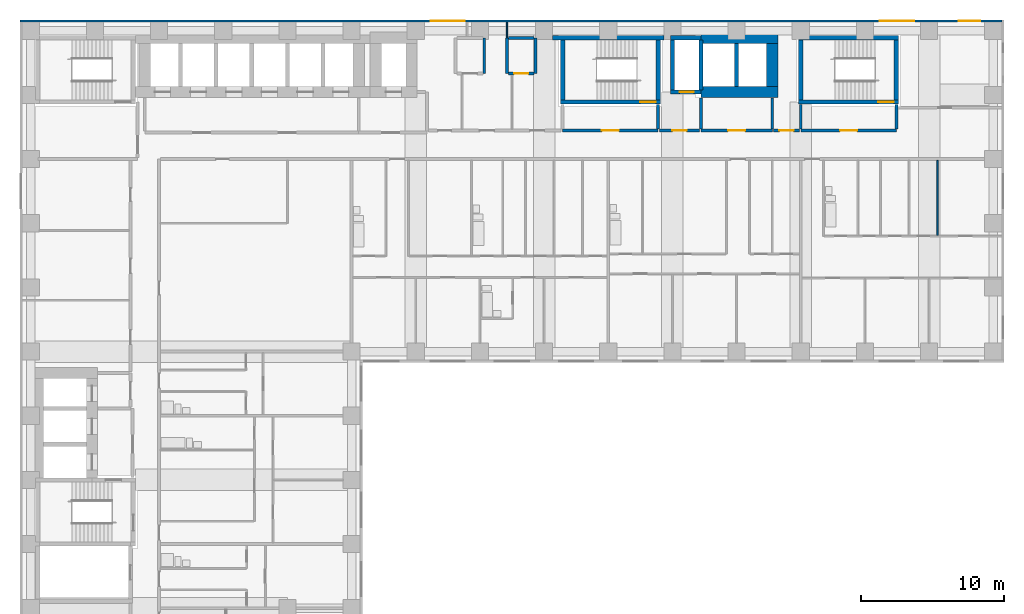
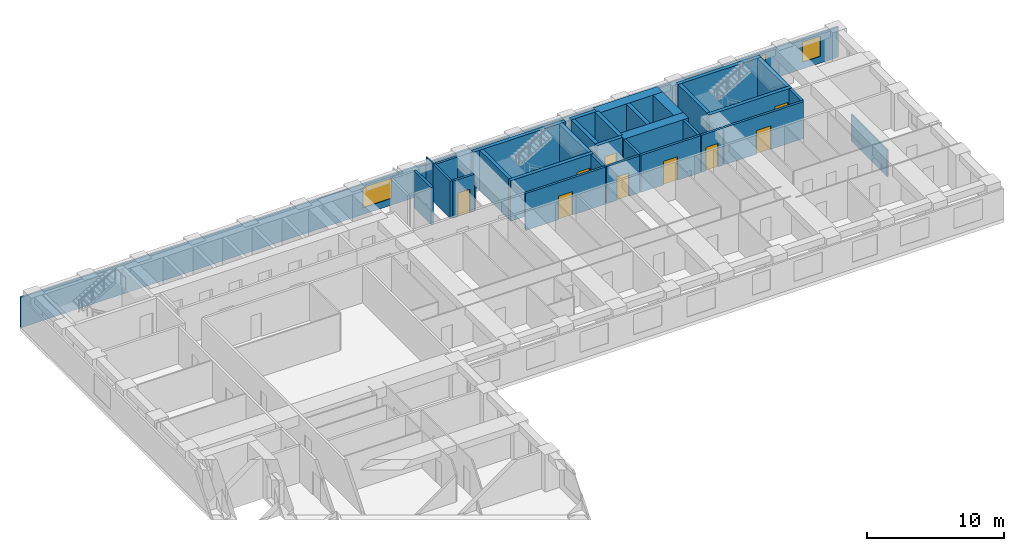
# One storey, part 8 of 12: 34 walls, 9 doors, 3 windows, 12 openings.
"""IFC4 building model written with IfcOpenShell, lengths in metres."""

import ifcopenshell
import ifcopenshell.guid

model = None  # the IFC model being written
_history = None  # IfcOwnerHistory: only IFC2X3 demands one
_inside = {}  # id of a spatial element -> (the spatial element, [elements in it])
_under = {}  # id of a project, library or spatial element -> (it, [spatial elements below it])
_declared = {}  # id of a project -> (the project, [libraries it declares])
_typed = {}  # id of a type object -> (the type object, [elements of that type])
_made_of = {}  # id of a material, layer set ... -> (it, [elements and type objects made of it])


def new_model(schema):
    """Start an empty IFC model of exactly this schema.

    Asked for "IFC4X3", IfcOpenShell would pick the latest addendum, in which some entities
    have other attributes; the version numbers below select the first issue.
    IFC2X3 requires an IfcOwnerHistory on every rooted entity: one is made here for all.
    """
    global model, _history
    if schema == "IFC4X3":
        model = ifcopenshell.file(schema_version=(4, 3, 0, 0))
    else:
        model = ifcopenshell.file(schema=schema)
    _inside.clear()
    _under.clear()
    _declared.clear()
    _typed.clear()
    _made_of.clear()
    _history = None
    if model.schema == "IFC2X3":
        org = make("IfcOrganization", Name="unknown")
        user = make(
            "IfcPersonAndOrganization",
            ThePerson=make("IfcPerson", FamilyName="unknown"),
            TheOrganization=org,
        )
        app = make(
            "IfcApplication",
            ApplicationDeveloper=org,
            Version="unknown",
            ApplicationFullName="unknown",
            ApplicationIdentifier="unknown",
        )
        _history = make(
            "IfcOwnerHistory",
            OwningUser=user,
            OwningApplication=app,
            ChangeAction="ADDED",
            CreationDate=0,
        )
    return model


def make(cls, **values):
    """One entity of the class cls with the attributes given. An attribute that is None is left unset."""
    return model.create_entity(
        cls, **{name: value for name, value in values.items() if value is not None}
    )


def rooted(cls, **values):
    """An entity with a GlobalId (a new one), such as an element, a storey or a relation."""
    return make(cls, GlobalId=ifcopenshell.guid.new(), OwnerHistory=_history, **values)


def si_unit(unit_type, name, prefix=None):
    """IfcSIUnit, for example si_unit("LENGTHUNIT", "METRE", prefix="MILLI")."""
    return make("IfcSIUnit", UnitType=unit_type, Prefix=prefix, Name=name)


def assignment(units):
    """IfcUnitAssignment: the units of a project."""
    return None if units is None else make("IfcUnitAssignment", Units=units)


def point(xyz):
    """IfcCartesianPoint."""
    return None if xyz is None else make("IfcCartesianPoint", Coordinates=xyz)


def direction(xyz):
    """IfcDirection."""
    return None if xyz is None else make("IfcDirection", DirectionRatios=xyz)


def frame(location, z_axis=None, x_axis=None):
    """IfcAxis2Placement3D, a coordinate frame: its origin and axes. An axis left out is left unset."""
    return make(
        "IfcAxis2Placement3D",
        Location=point(location),
        Axis=direction(z_axis),
        RefDirection=direction(x_axis),
    )


def frame_2d(location, x_axis=None):
    """IfcAxis2Placement2D, a coordinate frame in the plane: its origin and x axis."""
    return make(
        "IfcAxis2Placement2D", Location=point(location), RefDirection=direction(x_axis)
    )


def origin():
    """The frame at (0, 0, 0) with its axes left unset."""
    return frame((0.0, 0.0, 0.0))


def place(relative_to, where):
    """IfcLocalPlacement: puts the frame where relative to a parent placement (None: the world)."""
    return make(
        "IfcLocalPlacement", PlacementRelTo=relative_to, RelativePlacement=where
    )


def context(
    kind, dimensions, precision=None, world=None, true_north=None, identifier=None
):
    """IfcGeometricRepresentationContext, for example the 3D "Model" context."""
    return make(
        "IfcGeometricRepresentationContext",
        ContextIdentifier=identifier,
        ContextType=kind,
        CoordinateSpaceDimension=dimensions,
        Precision=precision,
        WorldCoordinateSystem=world,
        TrueNorth=true_north,
    )


def subcontext(parent, identifier, kind, view, scale=None):
    """IfcGeometricRepresentationSubContext, for example "Body" below "Model"."""
    return make(
        "IfcGeometricRepresentationSubContext",
        ContextIdentifier=identifier,
        ContextType=kind,
        ParentContext=parent,
        TargetScale=scale,
        TargetView=view,
    )


def project(units=None, contexts=None):
    """IfcProject with its units and contexts."""
    return rooted(
        "IfcProject",
        Name="project",
        RepresentationContexts=contexts,
        UnitsInContext=assignment(units),
    )


def spatial(cls, under=None, at=None, **own):
    """A site, building, storey or space (cls), placed at a placement, below another one or the project."""
    s = rooted(cls, ObjectPlacement=at, **own)
    if under is not None:
        _under.setdefault(under.id(), (under, []))[1].append(s)
    return s


def profile(cls, at=None, kind="AREA", **sizes):
    """A parametric profile (cls). Its sizes go by their IFC names, for example OverallWidth=200.0."""
    return make(cls, ProfileType=kind, Position=at, **sizes)


def rectangle(**sizes):
    """IfcRectangleProfileDef."""
    return profile("IfcRectangleProfileDef", **sizes)


def extrude(swept, where, along, depth):
    """IfcExtrudedAreaSolid: the profile swept, set in the frame where, extruded along a direction by depth."""
    return make(
        "IfcExtrudedAreaSolid",
        SweptArea=swept,
        Position=where,
        ExtrudedDirection=direction(along),
        Depth=depth,
    )


def shape(context_of_items, identifier, shape_type, items):
    """IfcShapeRepresentation: the items that make up one representation, for example the "Body"."""
    return make(
        "IfcShapeRepresentation",
        ContextOfItems=context_of_items,
        RepresentationIdentifier=identifier,
        RepresentationType=shape_type,
        Items=items,
    )


def material(Name=None, Category=None):
    """IfcMaterial."""
    return make("IfcMaterial", Name=Name, Category=Category)


def layer(
    of_material, thickness, ventilated=None, Name=None, Category=None, Priority=None
):
    """IfcMaterialLayer: one layer of a wall or slab, of a material (None: an air gap)."""
    return make(
        "IfcMaterialLayer",
        Material=of_material,
        LayerThickness=thickness,
        IsVentilated=ventilated,
        Name=Name,
        Category=Category,
        Priority=Priority,
    )


def layer_set(layers, Name=None):
    """IfcMaterialLayerSet."""
    return make("IfcMaterialLayerSet", MaterialLayers=layers, LayerSetName=Name)


def made_of(thing, what):
    """Note that an element or type object is made of a material, layer set ...; save() writes the relation."""
    if what is not None:
        _made_of.setdefault(what.id(), (what, []))[1].append(thing)
    return thing


def type_object(cls, material=None, **own):
    """A type object (cls), such as IfcWallType, which elements share."""
    return made_of(rooted(cls, **own), material)


def element(
    cls,
    number,
    at=None,
    inside=None,
    cuts=None,
    type_object=None,
    material=None,
    context=None,
    identifier="Body",
    shape_type=None,
    held_by="IfcProductDefinitionShape",
    body=None,
    shapes=None,
    **own,
):
    """One element of the class cls, such as IfcWall. Its Tag is "e" and its number.

    at: its placement. inside: the storey or other place that contains it. cuts: it is an
    opening in that element (IfcRelVoidsElement). A single representation is given by context,
    identifier, shape_type and body (its items); several are given by shapes. held_by: the class
    of the entity that holds the representations. save() writes the other relations.
    """
    e = rooted(cls, Tag="e%d" % number, ObjectPlacement=at, **own)
    if body is not None:
        shapes = [shape(context, identifier, shape_type, body)]
    if shapes is not None:
        e.Representation = make(held_by, Representations=shapes)
    if inside is not None:
        _inside.setdefault(inside.id(), (inside, []))[1].append(e)
    if cuts is not None:
        rooted(
            "IfcRelVoidsElement", RelatingBuildingElement=cuts, RelatedOpeningElement=e
        )
    if type_object is not None:
        _typed.setdefault(type_object.id(), (type_object, []))[1].append(e)
    return made_of(e, material)


def fill(opening, filler):
    """IfcRelFillsElement: the door or window that sits in an opening."""
    return rooted(
        "IfcRelFillsElement",
        RelatingOpeningElement=opening,
        RelatedBuildingElement=filler,
    )


def aggregate(whole, parts):
    """IfcRelAggregates: a whole, such as a stair, and the parts it consists of."""
    return rooted("IfcRelAggregates", RelatingObject=whole, RelatedObjects=parts)


def save(model, path):
    """Write the relations noted so far, then the file.

    IfcRelAggregates (storeys below a building ...), IfcRelContainedInSpatialStructure (elements
    in a storey), IfcRelDefinesByType, IfcRelAssociatesMaterial and IfcRelDeclares: one each for
    every whole, place, type object, material and project.
    """
    for whole, parts in _under.values():
        aggregate(whole, parts)
    for where, things in _inside.values():
        rooted(
            "IfcRelContainedInSpatialStructure",
            RelatedElements=things,
            RelatingStructure=where,
        )
    for kind, things in _typed.values():
        rooted("IfcRelDefinesByType", RelatedObjects=things, RelatingType=kind)
    for what, things in _made_of.values():
        rooted("IfcRelAssociatesMaterial", RelatedObjects=things, RelatingMaterial=what)
    for by, libraries in _declared.values():
        rooted("IfcRelDeclares", RelatingContext=by, RelatedDefinitions=libraries)
    model.write(path)


model = new_model("IFC4")

# Units and contexts
model_context = context("Model", 3, precision=1e-05, world=origin(), true_north=direction((0.0, 1.0)))
body_context = subcontext(model_context, "Body", "Model", "MODEL_VIEW")
ifc_project = project(units=[si_unit("LENGTHUNIT", "METRE"), si_unit("AREAUNIT", "SQUARE_METRE"), si_unit("VOLUMEUNIT", "CUBIC_METRE"), si_unit("PLANEANGLEUNIT", "RADIAN"), si_unit("MASSUNIT", "GRAM", prefix="KILO")], contexts=[model_context])

# Site, building, storey
site_placement = place(None, origin())
site = spatial("IfcSite", under=ifc_project, at=site_placement, CompositionType="ELEMENT")
building_placement = place(site_placement, origin())
building = spatial("IfcBuilding", under=site, at=building_placement, Name="Firuza Court", CompositionType="ELEMENT")
storey_placement = place(building_placement, frame((0.0, 0.0, 54.199951171875)))
storey = spatial("IfcBuildingStorey", under=building, at=storey_placement, Name="L12", CompositionType="ELEMENT", Elevation=54.199951171875)

# Wall
ifc_material_1 = material(Name="Concrete C60/75", Category="concrete")
ifc_layer_1 = layer(ifc_material_1, 0.300048828125)
ifc_layer_set_1 = layer_set([ifc_layer_1], Name="Concrete C60/75")
wall_type_1 = type_object("IfcWallType", Name="Core wall 300 C60/75", PredefinedType="SHEAR", material=ifc_layer_set_1)
wall_1_placement = place(storey_placement, frame((36.60009765625, 58.0, -0.300048828125), z_axis=(0.0, 0.0, 1.0), x_axis=(1.0, 0.0, 0.0)))
element("IfcWall", 1, at=wall_1_placement, inside=storey, type_object=wall_type_1, Name="Core wall stair L12", PredefinedType="SHEAR", context=body_context, shape_type="SweptSolid", body=[
    extrude(rectangle(XDim=7.7998046875, YDim=0.300048828125, at=frame_2d((3.89990234375, 0.0))), origin(), (0.0, 0.0, 1.0), 3.60009765625),
])

# Wall, opening, door
wall_2_placement = place(storey_placement, frame((37.14990234375, 53.5, -0.300048828125), z_axis=(0.0, 0.0, 1.0), x_axis=(1.0, 0.0, 0.0)))
wall_2 = element("IfcWall", 2, at=wall_2_placement, inside=storey, type_object=wall_type_1, Name="Core wall stair L12", PredefinedType="SHEAR", context=body_context, shape_type="SweptSolid", body=[
    extrude(rectangle(XDim=7.0, YDim=0.300048828125, at=frame_2d((3.5, 0.0))), origin(), (0.0, 0.0, 1.0), 3.60009765625),
])
opening_1_placement = place(wall_2_placement, frame((5.580078125, 0.0, 0.300048828125)))
opening_1 = element("IfcOpeningElement", 3, at=opening_1_placement, cuts=wall_2, Name="Opening D12013", PredefinedType="OPENING", context=body_context, shape_type="SweptSolid", body=[
    extrude(rectangle(XDim=1.10009765625, YDim=2.10009765625, at=frame_2d((0.550048828125, 1.050048828125))), frame((0.0, 0.162109375, 0.0), z_axis=(0.0, -1.0, 0.0), x_axis=(1.0, 0.0, 0.0)), (0.0, 0.0, 1.0), 0.323974609375),
])
ifc_material_2 = material(Name="Timber door leaf in hardwood frame", Category="wood")
door_type_1 = type_object("IfcDoorType", Name="Stair door 1100", OperationType="SINGLE_SWING_LEFT", PredefinedType="DOOR", material=ifc_material_2)
door_1_placement = place(opening_1_placement, origin())
door_1 = element("IfcDoor", 4, at=door_1_placement, inside=storey, type_object=door_type_1, Name="Stair door S1", OperationType="SINGLE_SWING_RIGHT", OverallHeight=2.10009765625, OverallWidth=1.10009765625, PredefinedType="DOOR", context=body_context, shape_type="SweptSolid", body=[
    extrude(rectangle(XDim=1.10009765625, YDim=2.10009765625, at=frame_2d((0.550048828125, 1.050048828125))), frame((0.0, 0.02490234375, 0.0), z_axis=(0.0, -1.0, 0.0), x_axis=(1.0, 0.0, 0.0)), (0.0, 0.0, 1.0), 0.050048828125),
])
fill(opening_1, door_1)

# Walls
for number, where, z_axis, x_axis, name in (
    (5, (37.300048828125, 53.64990234375, -0.300048828125), (0.0, 0.0, 1.0), (0.0, 1.0, 0.0), "Core wall stair L12"),
    (6, (44.0, 53.64990234375, -0.300048828125), (0.0, 0.0, 1.0), (0.0, 1.0, 0.0), "Core wall stair L12"),
):
    element("IfcWall", number, at=place(storey_placement, frame(where, z_axis=z_axis, x_axis=x_axis)), inside=storey, type_object=wall_type_1, Name=name, PredefinedType="SHEAR", context=body_context, shape_type="SweptSolid", body=[
        extrude(rectangle(XDim=4.2001953125, YDim=0.300048828125, at=frame_2d((2.10009765625, 0.0))), origin(), (0.0, 0.0, 1.0), 3.60009765625),
    ])

# Wall, opening, door
wall_3_placement = place(storey_placement, frame((44.85009765625, 54.199951171875, -0.300048828125), z_axis=(0.0, 0.0, 1.0), x_axis=(1.0, 0.0, 0.0)))
wall_3 = element("IfcWall", 7, at=wall_3_placement, inside=storey, type_object=wall_type_1, Name="Core wall riser L12", PredefinedType="SHEAR", context=body_context, shape_type="SweptSolid", body=[
    extrude(rectangle(XDim=2.14990234375, YDim=0.300048828125, at=frame_2d((1.074951171875, 0.0))), origin(), (0.0, 0.0, 1.0), 3.60009765625),
])
opening_2_placement = place(wall_3_placement, frame((0.64990234375, 0.0, 0.300048828125)))
opening_2 = element("IfcOpeningElement", 8, at=opening_2_placement, cuts=wall_3, Name="Opening D12011", PredefinedType="OPENING", context=body_context, shape_type="SweptSolid", body=[
    extrude(rectangle(XDim=1.0, YDim=2.10009765625, at=frame_2d((0.5, 1.050048828125))), frame((0.0, 0.162109375, 0.0), z_axis=(0.0, -1.0, 0.0), x_axis=(1.0, 0.0, 0.0)), (0.0, 0.0, 1.0), 0.323974609375),
])
ifc_material_3 = material(Name="Timber door leaf in hardwood frame", Category="wood")
door_type_2 = type_object("IfcDoorType", Name="Riser door 1000", OperationType="SINGLE_SWING_LEFT", PredefinedType="DOOR", material=ifc_material_3)
door_2_placement = place(opening_2_placement, origin())
door_2 = element("IfcDoor", 9, at=door_2_placement, inside=storey, type_object=door_type_2, Name="Riser door R3", OperationType="SINGLE_SWING_LEFT", OverallHeight=2.10009765625, OverallWidth=1.0, PredefinedType="DOOR", context=body_context, shape_type="SweptSolid", body=[
    extrude(rectangle(XDim=1.0, YDim=2.10009765625, at=frame_2d((0.5, 1.050048828125))), frame((0.0, 0.02490234375, 0.0), z_axis=(0.0, -1.0, 0.0), x_axis=(1.0, 0.0, 0.0)), (0.0, 0.0, 1.0), 0.050048828125),
])
fill(opening_2, door_2)

# Walls
wall_4_placement = place(storey_placement, frame((44.85009765625, 58.0, -0.300048828125), z_axis=(0.0, 0.0, 1.0), x_axis=(1.0, 0.0, 0.0)))
element("IfcWall", 10, at=wall_4_placement, inside=storey, type_object=wall_type_1, Name="Core wall riser L12", PredefinedType="SHEAR", context=body_context, shape_type="SweptSolid", body=[
    extrude(rectangle(XDim=2.14990234375, YDim=0.300048828125, at=frame_2d((1.074951171875, 0.0))), origin(), (0.0, 0.0, 1.0), 3.60009765625),
])
for number, where, z_axis, x_axis, name in (
    (11, (45.0, 54.35009765625, -0.300048828125), (0.0, 0.0, 1.0), (0.0, 1.0, 0.0), "Core wall riser L12"),
    (12, (47.0, 54.35009765625, -0.300048828125), (0.0, 0.0, 1.0), (0.0, 1.0, 0.0), "Core wall lift shaft L12"),
):
    element("IfcWall", number, at=place(storey_placement, frame(where, z_axis=z_axis, x_axis=x_axis)), inside=storey, type_object=wall_type_1, Name=name, PredefinedType="SHEAR", context=body_context, shape_type="SweptSolid", body=[
        extrude(rectangle(XDim=3.5, YDim=0.300048828125, at=frame_2d((1.75, 0.0))), origin(), (0.0, 0.0, 1.0), 3.60009765625),
    ])
wall_5_placement = place(storey_placement, frame((49.5, 54.60009765625, -0.300048828125), z_axis=(0.0, 0.0, 1.0), x_axis=(0.0, 1.0, 0.0)))
element("IfcWall", 13, at=wall_5_placement, inside=storey, type_object=wall_type_1, Name="Core wall lift shaft L12", PredefinedType="SHEAR", context=body_context, shape_type="SweptSolid", body=[
    extrude(rectangle(XDim=3.0, YDim=0.300048828125, at=frame_2d((1.5, 0.0))), origin(), (0.0, 0.0, 1.0), 3.60009765625),
])

# Wall, opening, door
wall_6_placement = place(storey_placement, frame((53.85009765625, 53.5, -0.300048828125), z_axis=(0.0, 0.0, 1.0), x_axis=(1.0, 0.0, 0.0)))
wall_6 = element("IfcWall", 14, at=wall_6_placement, inside=storey, type_object=wall_type_1, Name="Core wall stair L12", PredefinedType="SHEAR", context=body_context, shape_type="SweptSolid", body=[
    extrude(rectangle(XDim=7.0, YDim=0.300048828125, at=frame_2d((3.5, 0.0))), origin(), (0.0, 0.0, 1.0), 3.60009765625),
])
opening_3_placement = place(wall_6_placement, frame((5.580078125, 0.0, 0.300048828125)))
opening_3 = element("IfcOpeningElement", 15, at=opening_3_placement, cuts=wall_6, Name="Opening D12017", PredefinedType="OPENING", context=body_context, shape_type="SweptSolid", body=[
    extrude(rectangle(XDim=1.10009765625, YDim=2.10009765625, at=frame_2d((0.550048828125, 1.050048828125))), frame((0.0, 0.162109375, 0.0), z_axis=(0.0, -1.0, 0.0), x_axis=(1.0, 0.0, 0.0)), (0.0, 0.0, 1.0), 0.323974609375),
])
door_3_placement = place(opening_3_placement, origin())
door_3 = element("IfcDoor", 16, at=door_3_placement, inside=storey, type_object=door_type_1, Name="Stair door S4", OperationType="SINGLE_SWING_RIGHT", OverallHeight=2.10009765625, OverallWidth=1.10009765625, PredefinedType="DOOR", context=body_context, shape_type="SweptSolid", body=[
    extrude(rectangle(XDim=1.10009765625, YDim=2.10009765625, at=frame_2d((0.550048828125, 1.050048828125))), frame((0.0, 0.02490234375, 0.0), z_axis=(0.0, -1.0, 0.0), x_axis=(1.0, 0.0, 0.0)), (0.0, 0.0, 1.0), 0.050048828125),
])
fill(opening_3, door_3)

# Walls
wall_7_placement = place(storey_placement, frame((53.85009765625, 58.0, -0.300048828125), z_axis=(0.0, 0.0, 1.0), x_axis=(1.0, 0.0, 0.0)))
element("IfcWall", 17, at=wall_7_placement, inside=storey, type_object=wall_type_1, Name="Core wall stair L12", PredefinedType="SHEAR", context=body_context, shape_type="SweptSolid", body=[
    extrude(rectangle(XDim=7.0, YDim=0.300048828125, at=frame_2d((3.5, 0.0))), origin(), (0.0, 0.0, 1.0), 3.60009765625),
])
for number, where, z_axis, x_axis, name in (
    (18, (54.0, 53.64990234375, -0.300048828125), (0.0, 0.0, 1.0), (0.0, 1.0, 0.0), "Core wall stair L12"),
    (19, (60.699951171875, 53.64990234375, -0.300048828125), (0.0, 0.0, 1.0), (0.0, 1.0, 0.0), "Core wall stair L12"),
):
    element("IfcWall", number, at=place(storey_placement, frame(where, z_axis=z_axis, x_axis=x_axis)), inside=storey, type_object=wall_type_1, Name=name, PredefinedType="SHEAR", context=body_context, shape_type="SweptSolid", body=[
        extrude(rectangle(XDim=4.2001953125, YDim=0.300048828125, at=frame_2d((2.10009765625, 0.0))), origin(), (0.0, 0.0, 1.0), 3.60009765625),
    ])
ifc_layer_2 = layer(ifc_material_1, 0.800048828125)
ifc_layer_set_2 = layer_set([ifc_layer_2], Name="Concrete C60/75")
wall_type_2 = type_object("IfcWallType", Name="Core wall 800 C60/75", PredefinedType="SHEAR", material=ifc_layer_set_2)
for number, where, z_axis, x_axis, name in (
    (20, (47.0, 54.199951171875, -0.300048828125), (0.0, 0.0, 1.0), (1.0, 0.0, 0.0), "Core wall lift shaft L12"),
    (21, (47.0, 58.0, -0.300048828125), (0.0, 0.0, 1.0), (1.0, 0.0, 0.0), "Core wall lift shaft L12"),
):
    element("IfcWall", number, at=place(storey_placement, frame(where, z_axis=z_axis, x_axis=x_axis)), inside=storey, type_object=wall_type_2, Name=name, PredefinedType="SHEAR", context=body_context, shape_type="SweptSolid", body=[
        extrude(rectangle(XDim=5.39990234375, YDim=0.800048828125, at=frame_2d((2.699951171875, 0.0))), origin(), (0.0, 0.0, 1.0), 3.60009765625),
    ])
wall_8_placement = place(storey_placement, frame((52.0, 54.60009765625, -0.300048828125), z_axis=(0.0, 0.0, 1.0), x_axis=(0.0, 1.0, 0.0)))
element("IfcWall", 22, at=wall_8_placement, inside=storey, type_object=wall_type_2, Name="Core wall lift shaft L12", PredefinedType="SHEAR", context=body_context, shape_type="SweptSolid", body=[
    extrude(rectangle(XDim=3.0, YDim=0.800048828125, at=frame_2d((1.5, 0.0))), origin(), (0.0, 0.0, 1.0), 3.60009765625),
])

# Wall, opening, door
ifc_material_4 = material(Name="Blockwork, plastered both sides", Category="masonry")
ifc_layer_3 = layer(ifc_material_4, 0.199951171875)
ifc_layer_set_3 = layer_set([ifc_layer_3], Name="Blockwork, plastered both sides")
wall_type_3 = type_object("IfcWallType", Name="Corridor wall 200", PredefinedType="PARTITIONING", material=ifc_layer_set_3)
wall_9_placement = place(storey_placement, frame((44.10009765625, 51.5, 0.0), z_axis=(0.0, 0.0, 1.0), x_axis=(1.0, 0.0, 0.0)))
wall_9 = element("IfcWall", 23, at=wall_9_placement, inside=storey, type_object=wall_type_3, Name="Corridor wall 200 L12", PredefinedType="PARTITIONING", context=body_context, shape_type="SweptSolid", body=[
    extrude(rectangle(XDim=2.7998046875, YDim=0.199951171875, at=frame_2d((1.39990234375, 0.0))), origin(), (0.0, 0.0, 1.0), 3.300048828125),
])
opening_4_placement = place(wall_9_placement, frame((0.89990234375, 0.0, 0.0)))
opening_4 = element("IfcOpeningElement", 24, at=opening_4_placement, cuts=wall_9, Name="Opening D12077", PredefinedType="OPENING", context=body_context, shape_type="SweptSolid", body=[
    extrude(rectangle(XDim=1.0, YDim=2.10009765625, at=frame_2d((0.5, 1.050048828125))), frame((0.0, 0.11181640625, 0.0), z_axis=(0.0, -1.0, 0.0), x_axis=(1.0, 0.0, 0.0)), (0.0, 0.0, 1.0), 0.223876953125),
])
ifc_material_5 = material(Name="Timber door leaf in hardwood frame", Category="wood")
door_type_3 = type_object("IfcDoorType", Name="Store door 1000", OperationType="SINGLE_SWING_LEFT", PredefinedType="DOOR", material=ifc_material_5)
door_4_placement = place(opening_4_placement, origin())
door_4 = element("IfcDoor", 25, at=door_4_placement, inside=storey, type_object=door_type_3, Name="Comms room door", OperationType="SINGLE_SWING_LEFT", OverallHeight=2.10009765625, OverallWidth=1.0, PredefinedType="DOOR", context=body_context, shape_type="SweptSolid", body=[
    extrude(rectangle(XDim=1.0, YDim=2.10009765625, at=frame_2d((0.5, 1.050048828125))), frame((0.0, 0.02490234375, 0.0), z_axis=(0.0, -1.0, 0.0), x_axis=(1.0, 0.0, 0.0)), (0.0, 0.0, 1.0), 0.050048828125),
])
fill(opening_4, door_4)

wall_10_placement = place(storey_placement, frame((52.10009765625, 51.5, 0.0), z_axis=(0.0, 0.0, 1.0), x_axis=(1.0, 0.0, 0.0)))
wall_10 = element("IfcWall", 26, at=wall_10_placement, inside=storey, type_object=wall_type_3, Name="Corridor wall 200 L12", PredefinedType="PARTITIONING", context=body_context, shape_type="SweptSolid", body=[
    extrude(rectangle(XDim=1.7998046875, YDim=0.199951171875, at=frame_2d((0.89990234375, 0.0))), origin(), (0.0, 0.0, 1.0), 3.300048828125),
])
opening_5_placement = place(wall_10_placement, frame((0.39990234375, 0.0, 0.0)))
opening_5 = element("IfcOpeningElement", 27, at=opening_5_placement, cuts=wall_10, Name="Opening D12078", PredefinedType="OPENING", context=body_context, shape_type="SweptSolid", body=[
    extrude(rectangle(XDim=1.0, YDim=2.10009765625, at=frame_2d((0.5, 1.050048828125))), frame((0.0, 0.11181640625, 0.0), z_axis=(0.0, -1.0, 0.0), x_axis=(1.0, 0.0, 0.0)), (0.0, 0.0, 1.0), 0.223876953125),
])
door_5_placement = place(opening_5_placement, origin())
door_5 = element("IfcDoor", 28, at=door_5_placement, inside=storey, type_object=door_type_3, Name="Bicycle store door", OperationType="SINGLE_SWING_LEFT", OverallHeight=2.10009765625, OverallWidth=1.0, PredefinedType="DOOR", context=body_context, shape_type="SweptSolid", body=[
    extrude(rectangle(XDim=1.0, YDim=2.10009765625, at=frame_2d((0.5, 1.050048828125))), frame((0.0, 0.02490234375, 0.0), z_axis=(0.0, -1.0, 0.0), x_axis=(1.0, 0.0, 0.0)), (0.0, 0.0, 1.0), 0.050048828125),
])
fill(opening_5, door_5)

# Walls
ifc_material_6 = material(Name="Timber stud partition, plasterboard both sides", Category="wood")
ifc_layer_4 = layer(ifc_material_6, 0.10009765625)
ifc_layer_set_4 = layer_set([ifc_layer_4], Name="Timber stud partition, plasterboard both sides")
wall_type_4 = type_object("IfcWallType", Name="Partition wall 100", PredefinedType="PARTITIONING", material=ifc_layer_set_4)
wall_11_placement = place(storey_placement, frame((63.60009765625, 44.14990234375, 0.0), z_axis=(0.0, 0.0, 1.0), x_axis=(0.0, 1.0, 0.0)))
element("IfcWall", 29, at=wall_11_placement, inside=storey, type_object=wall_type_4, Name="Partition wall 100 L12", PredefinedType="PARTITIONING", context=body_context, shape_type="SweptSolid", body=[
    extrude(rectangle(XDim=5.25, YDim=0.10009765625, at=frame_2d((2.625, 0.0))), origin(), (0.0, 0.0, 1.0), 2.400146484375),
])
wall_12_placement = place(storey_placement, frame((33.39990234375, 58.0, 0.0), z_axis=(0.0, 0.0, 1.0), x_axis=(0.0, 1.0, 0.0)))
element("IfcWall", 30, at=wall_12_placement, inside=storey, type_object=wall_type_4, Name="Partition wall 100 L12", PredefinedType="PARTITIONING", context=body_context, shape_type="SweptSolid", body=[
    extrude(rectangle(XDim=1.10009765625, YDim=0.10009765625, at=frame_2d((0.550048828125, 0.0))), origin(), (0.0, 0.0, 1.0), 3.300048828125),
])
ifc_material_7 = material(Name="Blockwork, fire-rated", Category="masonry")
ifc_layer_5 = layer(ifc_material_7, 0.199951171875)
ifc_layer_set_5 = layer_set([ifc_layer_5], Name="Blockwork, fire-rated")
wall_type_5 = type_object("IfcWallType", Name="Plant room wall 200", PredefinedType="PARTITIONING", material=ifc_layer_set_5)
for number, where, z_axis, x_axis, name in (
    (31, (31.800048828125, 55.5, 0.0), (0.0, 0.0, 1.0), (0.0, 1.0, 0.0), "Plant room wall 200 L12"),
    (32, (33.39990234375, 55.5, 0.0), (0.0, 0.0, 1.0), (0.0, 1.0, 0.0), "Plant room wall 200 L12"),
):
    element("IfcWall", number, at=place(storey_placement, frame(where, z_axis=z_axis, x_axis=x_axis)), inside=storey, type_object=wall_type_5, Name=name, PredefinedType="PARTITIONING", context=body_context, shape_type="SweptSolid", body=[
        extrude(rectangle(XDim=2.5, YDim=0.199951171875, at=frame_2d((1.25, 0.0))), origin(), (0.0, 0.0, 1.0), 3.300048828125),
    ])

# Wall, opening, door
wall_13_placement = place(storey_placement, frame((33.5, 55.5, 0.0), z_axis=(0.0, 0.0, 1.0), x_axis=(1.0, 0.0, 0.0)))
wall_13 = element("IfcWall", 33, at=wall_13_placement, inside=storey, type_object=wall_type_5, Name="Plant room wall 200 L12", PredefinedType="PARTITIONING", context=body_context, shape_type="SweptSolid", body=[
    extrude(rectangle(XDim=1.800048828125, YDim=0.199951171875, at=frame_2d((0.89990234375, 0.0))), origin(), (0.0, 0.0, 1.0), 3.300048828125),
])
opening_6_placement = place(wall_13_placement, frame((0.39990234375, 0.0, 0.0)))
opening_6 = element("IfcOpeningElement", 34, at=opening_6_placement, cuts=wall_13, Name="Opening D12081", PredefinedType="OPENING", context=body_context, shape_type="SweptSolid", body=[
    extrude(rectangle(XDim=1.0, YDim=2.10009765625, at=frame_2d((0.5, 1.050048828125))), frame((0.0, 0.11181640625, 0.0), z_axis=(0.0, -1.0, 0.0), x_axis=(1.0, 0.0, 0.0)), (0.0, 0.0, 1.0), 0.223876953125),
])
door_6_placement = place(opening_6_placement, origin())
door_6 = element("IfcDoor", 35, at=door_6_placement, inside=storey, type_object=door_type_2, Name="Duct riser door", OperationType="SINGLE_SWING_LEFT", OverallHeight=2.10009765625, OverallWidth=1.0, PredefinedType="DOOR", context=body_context, shape_type="SweptSolid", body=[
    extrude(rectangle(XDim=1.0, YDim=2.10009765625, at=frame_2d((0.5, 1.050048828125))), frame((0.0, 0.02490234375, 0.0), z_axis=(0.0, -1.0, 0.0), x_axis=(1.0, 0.0, 0.0)), (0.0, 0.0, 1.0), 0.050048828125),
])
fill(opening_6, door_6)

# Walls
wall_14_placement = place(storey_placement, frame((35.39990234375, 55.5, 0.0), z_axis=(0.0, 0.0, 1.0), x_axis=(0.0, 1.0, 0.0)))
element("IfcWall", 36, at=wall_14_placement, inside=storey, type_object=wall_type_5, Name="Plant room wall 200 L12", PredefinedType="PARTITIONING", context=body_context, shape_type="SweptSolid", body=[
    extrude(rectangle(XDim=2.5, YDim=0.199951171875, at=frame_2d((1.25, 0.0))), origin(), (0.0, 0.0, 1.0), 2.400146484375),
])
wall_15_placement = place(storey_placement, frame((33.5, 58.0, 0.0), z_axis=(0.0, 0.0, 1.0), x_axis=(1.0, 0.0, 0.0)))
element("IfcWall", 37, at=wall_15_placement, inside=storey, type_object=wall_type_5, Name="Plant room wall 200 L12", PredefinedType="PARTITIONING", context=body_context, shape_type="SweptSolid", body=[
    extrude(rectangle(XDim=1.800048828125, YDim=0.199951171875, at=frame_2d((0.89990234375, 0.0))), origin(), (0.0, 0.0, 1.0), 3.300048828125),
])

# Wall, openings, windows
ifc_material_8 = material(Name="Ceramic tile", Category="ceramic")
ifc_layer_6 = layer(ifc_material_8, 0.02001953125)
ifc_material_9 = material(Name="Mineral wool insulation", Category="insulation")
ifc_layer_7 = layer(ifc_material_9, 0.050048828125)
ifc_material_10 = material(Name="Concrete C40/50 precast", Category="concrete")
ifc_layer_8 = layer(ifc_material_10, 0.080078125)
ifc_layer_set_6 = layer_set([ifc_layer_6, ifc_layer_7, ifc_layer_8], Name="Concrete C40/50 precast")
wall_type_6 = type_object("IfcWallType", Name="Precast cladding wall with turquoise TILE PANEL face 150", PredefinedType="STANDARD", material=ifc_layer_set_6)
wall_16_placement = place(storey_placement, frame((68.10009765625, 59.175048828125, 0.0), z_axis=(0.0, 0.0, 1.0), x_axis=(-1.0, 0.0, 0.0)))
wall_16 = element("IfcWall", 38, at=wall_16_placement, inside=storey, type_object=wall_type_6, Name="Facade wall L12 N", PredefinedType="STANDARD", context=body_context, shape_type="SweptSolid", body=[
    extrude(rectangle(XDim=68.85009765625, YDim=0.14990234375, at=frame_2d((34.425048828125, 0.0))), origin(), (0.0, 0.0, 1.0), 2.699951171875),
])
opening_7_placement = place(wall_16_placement, frame((1.529541015625, 0.0, 0.60009765625)))
opening_7 = element("IfcOpeningElement", 39, at=opening_7_placement, cuts=wall_16, Name="Opening W2", PredefinedType="OPENING", context=body_context, shape_type="SweptSolid", body=[
    extrude(rectangle(XDim=1.5, YDim=1.800048828125, at=frame_2d((0.75, 0.89990234375))), frame((0.0, 0.0869140625, 0.0), z_axis=(0.0, -1.0, 0.0), x_axis=(1.0, 0.0, 0.0)), (0.0, 0.0, 1.0), 0.173828125),
])
opening_8_placement = place(wall_16_placement, frame((6.14990234375, 0.0, 0.60009765625)))
opening_8 = element("IfcOpeningElement", 40, at=opening_8_placement, cuts=wall_16, Name="Opening W1", PredefinedType="OPENING", context=body_context, shape_type="SweptSolid", body=[
    extrude(rectangle(XDim=2.39990234375, YDim=1.800048828125, at=frame_2d((1.199951171875, 0.89990234375))), frame((0.0, 0.0869140625, 0.0), z_axis=(0.0, -1.0, 0.0), x_axis=(1.0, 0.0, 0.0)), (0.0, 0.0, 1.0), 0.173828125),
])
opening_9_placement = place(wall_16_placement, frame((37.64990234375, 0.0, 0.60009765625)))
opening_9 = element("IfcOpeningElement", 41, at=opening_9_placement, cuts=wall_16, Name="Opening W1", PredefinedType="OPENING", context=body_context, shape_type="SweptSolid", body=[
    extrude(rectangle(XDim=2.39990234375, YDim=1.800048828125, at=frame_2d((1.199951171875, 0.89990234375))), frame((0.0, 0.0869140625, 0.0), z_axis=(0.0, -1.0, 0.0), x_axis=(1.0, 0.0, 0.0)), (0.0, 0.0, 1.0), 0.173828125),
])
ifc_material_11 = material(Name="Aluminium frame, triple clear glazing", Category="aluminium")
window_type_1 = type_object("IfcWindowType", Name="Window W1 2400 x 1800", PartitioningType="SINGLE_PANEL", PredefinedType="WINDOW", material=ifc_material_11)
window_1_placement = place(opening_8_placement, origin())
window_1 = element("IfcWindow", 42, at=window_1_placement, inside=storey, type_object=window_type_1, Name="Window L12", OverallHeight=1.800048828125, OverallWidth=2.39990234375, PartitioningType="SINGLE_PANEL", PredefinedType="WINDOW", context=body_context, shape_type="SweptSolid", body=[
    extrude(rectangle(XDim=2.39990234375, YDim=1.800048828125, at=frame_2d((1.199951171875, 0.89990234375))), frame((0.0, 0.030029296875, 0.0), z_axis=(0.0, -1.0, 0.0), x_axis=(1.0, 0.0, 0.0)), (0.0, 0.0, 1.0), 0.06005859375),
])
fill(opening_8, window_1)
window_2_placement = place(opening_9_placement, origin())
window_2 = element("IfcWindow", 43, at=window_2_placement, inside=storey, type_object=window_type_1, Name="Window L12", OverallHeight=1.800048828125, OverallWidth=2.39990234375, PartitioningType="SINGLE_PANEL", PredefinedType="WINDOW", context=body_context, shape_type="SweptSolid", body=[
    extrude(rectangle(XDim=2.39990234375, YDim=1.800048828125, at=frame_2d((1.199951171875, 0.89990234375))), frame((0.0, 0.030029296875, 0.0), z_axis=(0.0, -1.0, 0.0), x_axis=(1.0, 0.0, 0.0)), (0.0, 0.0, 1.0), 0.06005859375),
])
fill(opening_9, window_2)
ifc_material_12 = material(Name="Aluminium frame, triple clear glazing", Category="aluminium")
window_type_2 = type_object("IfcWindowType", Name="Window W2 1500 x 1800", PartitioningType="SINGLE_PANEL", PredefinedType="WINDOW", material=ifc_material_12)
window_3_placement = place(opening_7_placement, origin())
window_3 = element("IfcWindow", 44, at=window_3_placement, inside=storey, type_object=window_type_2, Name="Window L12", OverallHeight=1.800048828125, OverallWidth=1.5, PartitioningType="SINGLE_PANEL", PredefinedType="WINDOW", context=body_context, shape_type="SweptSolid", body=[
    extrude(rectangle(XDim=1.5, YDim=1.800048828125, at=frame_2d((0.75, 0.89990234375))), frame((0.0, 0.030029296875, 0.0), z_axis=(0.0, -1.0, 0.0), x_axis=(1.0, 0.0, 0.0)), (0.0, 0.0, 1.0), 0.06005859375),
])
fill(opening_7, window_3)

# Wall, opening, door
ifc_layer_9 = layer(ifc_material_7, 0.199951171875)
ifc_layer_set_7 = layer_set([ifc_layer_9], Name="Blockwork, fire-rated")
wall_type_7 = type_object("IfcWallType", Name="Shaft wall 200", PredefinedType="PARTITIONING", material=ifc_layer_set_7)
wall_17_placement = place(storey_placement, frame((47.0, 51.5, 0.0), z_axis=(0.0, 0.0, 1.0), x_axis=(1.0, 0.0, 0.0)))
wall_17 = element("IfcWall", 45, at=wall_17_placement, inside=storey, type_object=wall_type_7, Name="Shaft wall 200 L12", PredefinedType="PARTITIONING", context=body_context, shape_type="SweptSolid", body=[
    extrude(rectangle(XDim=5.0, YDim=0.199951171875, at=frame_2d((2.5, 0.0))), origin(), (0.0, 0.0, 1.0), 3.300048828125),
])
opening_10_placement = place(wall_17_placement, frame((1.89990234375, 0.0, 0.0)))
opening_10 = element("IfcOpeningElement", 46, at=opening_10_placement, cuts=wall_17, Name="Opening D12009", PredefinedType="OPENING", context=body_context, shape_type="SweptSolid", body=[
    extrude(rectangle(XDim=1.199951171875, YDim=2.10009765625, at=frame_2d((0.60009765625, 1.050048828125))), frame((0.0, 0.11181640625, 0.0), z_axis=(0.0, -1.0, 0.0), x_axis=(1.0, 0.0, 0.0)), (0.0, 0.0, 1.0), 0.223876953125),
])
ifc_material_13 = material(Name="Timber door leaf in hardwood frame", Category="wood")
door_type_4 = type_object("IfcDoorType", Name="Lobby door 1200", OperationType="SINGLE_SWING_LEFT", PredefinedType="DOOR", material=ifc_material_13)
door_7_placement = place(opening_10_placement, origin())
door_7 = element("IfcDoor", 47, at=door_7_placement, inside=storey, type_object=door_type_4, Name="Lobby door", OperationType="SINGLE_SWING_LEFT", OverallHeight=2.10009765625, OverallWidth=1.199951171875, PredefinedType="DOOR", context=body_context, shape_type="SweptSolid", body=[
    extrude(rectangle(XDim=1.199951171875, YDim=2.10009765625, at=frame_2d((0.60009765625, 1.050048828125))), frame((0.0, 0.02490234375, 0.0), z_axis=(0.0, -1.0, 0.0), x_axis=(1.0, 0.0, 0.0)), (0.0, 0.0, 1.0), 0.050048828125),
])
fill(opening_10, door_7)

# Walls
for number, where, z_axis, x_axis, name in (
    (48, (52.0, 51.60009765625, 0.0), (0.0, 0.0, 1.0), (0.0, 1.0, 0.0), "Shaft wall 200 L12"),
    (49, (47.0, 51.60009765625, 0.0), (0.0, 0.0, 1.0), (0.0, 1.0, 0.0), "Shaft wall 200 L12"),
):
    element("IfcWall", number, at=place(storey_placement, frame(where, z_axis=z_axis, x_axis=x_axis)), inside=storey, type_object=wall_type_7, Name=name, PredefinedType="PARTITIONING", context=body_context, shape_type="SweptSolid", body=[
        extrude(rectangle(XDim=2.179931640625, YDim=0.199951171875, at=frame_2d((1.08984375, 0.0))), origin(), (0.0, 0.0, 1.0), 3.300048828125),
    ])

# Wall, opening, door
wall_18_placement = place(storey_placement, frame((37.300048828125, 51.5, 0.0), z_axis=(0.0, 0.0, 1.0), x_axis=(1.0, 0.0, 0.0)))
wall_18 = element("IfcWall", 50, at=wall_18_placement, inside=storey, type_object=wall_type_7, Name="Shaft wall 200 L12", PredefinedType="PARTITIONING", context=body_context, shape_type="SweptSolid", body=[
    extrude(rectangle(XDim=6.699951171875, YDim=0.199951171875, at=frame_2d((3.35009765625, 0.0))), origin(), (0.0, 0.0, 1.0), 3.300048828125),
])
opening_11_placement = place(wall_18_placement, frame((2.75, 0.0, 0.0)))
opening_11 = element("IfcOpeningElement", 51, at=opening_11_placement, cuts=wall_18, Name="Opening D12006", PredefinedType="OPENING", context=body_context, shape_type="SweptSolid", body=[
    extrude(rectangle(XDim=1.199951171875, YDim=2.10009765625, at=frame_2d((0.60009765625, 1.050048828125))), frame((0.0, 0.11181640625, 0.0), z_axis=(0.0, -1.0, 0.0), x_axis=(1.0, 0.0, 0.0)), (0.0, 0.0, 1.0), 0.223876953125),
])
door_8_placement = place(opening_11_placement, origin())
door_8 = element("IfcDoor", 52, at=door_8_placement, inside=storey, type_object=door_type_4, Name="Lobby door", OperationType="SINGLE_SWING_LEFT", OverallHeight=2.10009765625, OverallWidth=1.199951171875, PredefinedType="DOOR", context=body_context, shape_type="SweptSolid", body=[
    extrude(rectangle(XDim=1.199951171875, YDim=2.10009765625, at=frame_2d((0.60009765625, 1.050048828125))), frame((0.0, 0.02490234375, 0.0), z_axis=(0.0, -1.0, 0.0), x_axis=(1.0, 0.0, 0.0)), (0.0, 0.0, 1.0), 0.050048828125),
])
fill(opening_11, door_8)

# Wall
wall_19_placement = place(storey_placement, frame((44.0, 51.60009765625, 0.0), z_axis=(0.0, 0.0, 1.0), x_axis=(0.0, 1.0, 0.0)))
element("IfcWall", 53, at=wall_19_placement, inside=storey, type_object=wall_type_7, Name="Shaft wall 200 L12", PredefinedType="PARTITIONING", context=body_context, shape_type="SweptSolid", body=[
    extrude(rectangle(XDim=1.72998046875, YDim=0.199951171875, at=frame_2d((0.864990234375, 0.0))), origin(), (0.0, 0.0, 1.0), 3.300048828125),
])

# Wall, opening, door
wall_20_placement = place(storey_placement, frame((54.0, 51.5, 0.0), z_axis=(0.0, 0.0, 1.0), x_axis=(1.0, 0.0, 0.0)))
wall_20 = element("IfcWall", 54, at=wall_20_placement, inside=storey, type_object=wall_type_7, Name="Shaft wall 200 L12", PredefinedType="PARTITIONING", context=body_context, shape_type="SweptSolid", body=[
    extrude(rectangle(XDim=6.699951171875, YDim=0.199951171875, at=frame_2d((3.35009765625, 0.0))), origin(), (0.0, 0.0, 1.0), 3.300048828125),
])
opening_12_placement = place(wall_20_placement, frame((2.75, 0.0, 0.0)))
opening_12 = element("IfcOpeningElement", 55, at=opening_12_placement, cuts=wall_20, Name="Opening D12007", PredefinedType="OPENING", context=body_context, shape_type="SweptSolid", body=[
    extrude(rectangle(XDim=1.199951171875, YDim=2.10009765625, at=frame_2d((0.60009765625, 1.050048828125))), frame((0.0, 0.11181640625, 0.0), z_axis=(0.0, -1.0, 0.0), x_axis=(1.0, 0.0, 0.0)), (0.0, 0.0, 1.0), 0.223876953125),
])
door_9_placement = place(opening_12_placement, origin())
door_9 = element("IfcDoor", 56, at=door_9_placement, inside=storey, type_object=door_type_4, Name="Lobby door", OperationType="SINGLE_SWING_LEFT", OverallHeight=2.10009765625, OverallWidth=1.199951171875, PredefinedType="DOOR", context=body_context, shape_type="SweptSolid", body=[
    extrude(rectangle(XDim=1.199951171875, YDim=2.10009765625, at=frame_2d((0.60009765625, 1.050048828125))), frame((0.0, 0.02490234375, 0.0), z_axis=(0.0, -1.0, 0.0), x_axis=(1.0, 0.0, 0.0)), (0.0, 0.0, 1.0), 0.050048828125),
])
fill(opening_12, door_9)

# Walls
wall_21_placement = place(storey_placement, frame((60.699951171875, 51.60009765625, 0.0), z_axis=(0.0, 0.0, 1.0), x_axis=(0.0, 1.0, 0.0)))
element("IfcWall", 57, at=wall_21_placement, inside=storey, type_object=wall_type_7, Name="Shaft wall 200 L12", PredefinedType="PARTITIONING", context=body_context, shape_type="SweptSolid", body=[
    extrude(rectangle(XDim=1.72998046875, YDim=0.199951171875, at=frame_2d((0.864990234375, 0.0))), origin(), (0.0, 0.0, 1.0), 3.300048828125),
])
wall_22_placement = place(storey_placement, frame((54.0, 51.60009765625, 0.0), z_axis=(0.0, 0.0, 1.0), x_axis=(0.0, 1.0, 0.0)))
element("IfcWall", 58, at=wall_22_placement, inside=storey, type_object=wall_type_7, Name="Shaft wall 200 L12", PredefinedType="PARTITIONING", context=body_context, shape_type="SweptSolid", body=[
    extrude(rectangle(XDim=1.72998046875, YDim=0.199951171875, at=frame_2d((0.864990234375, 0.0))), origin(), (0.0, 0.0, 1.0), 2.60009765625),
])

save(model, "model.ifc")
